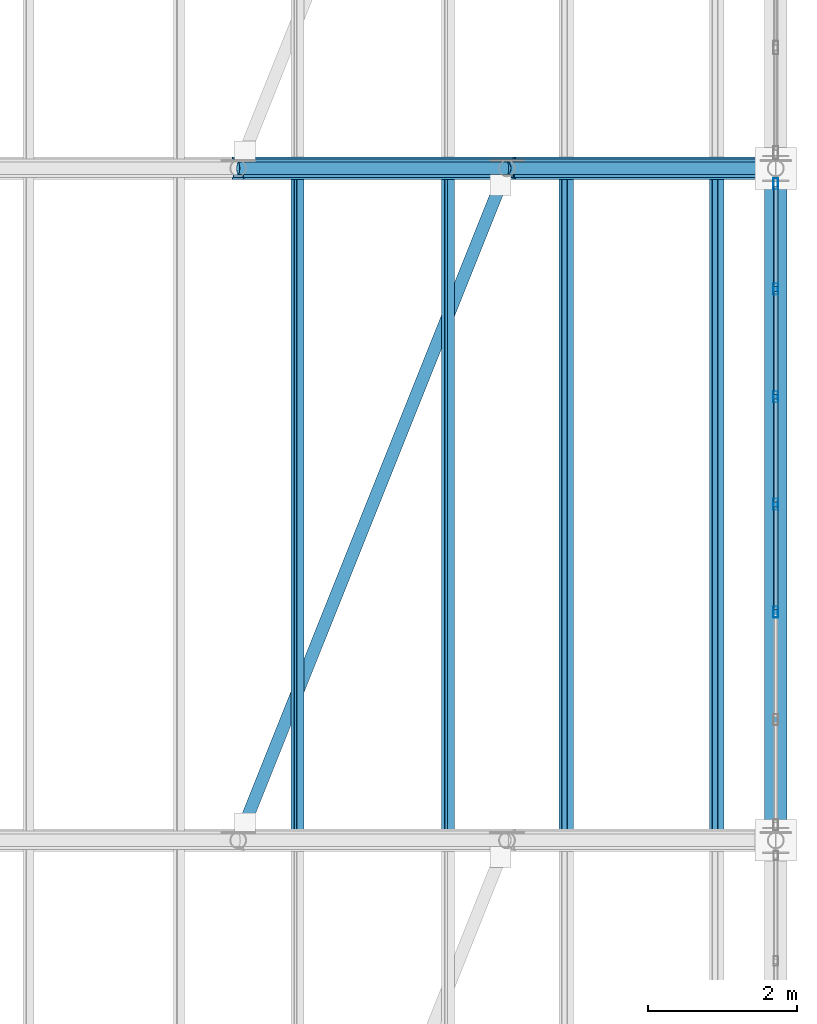
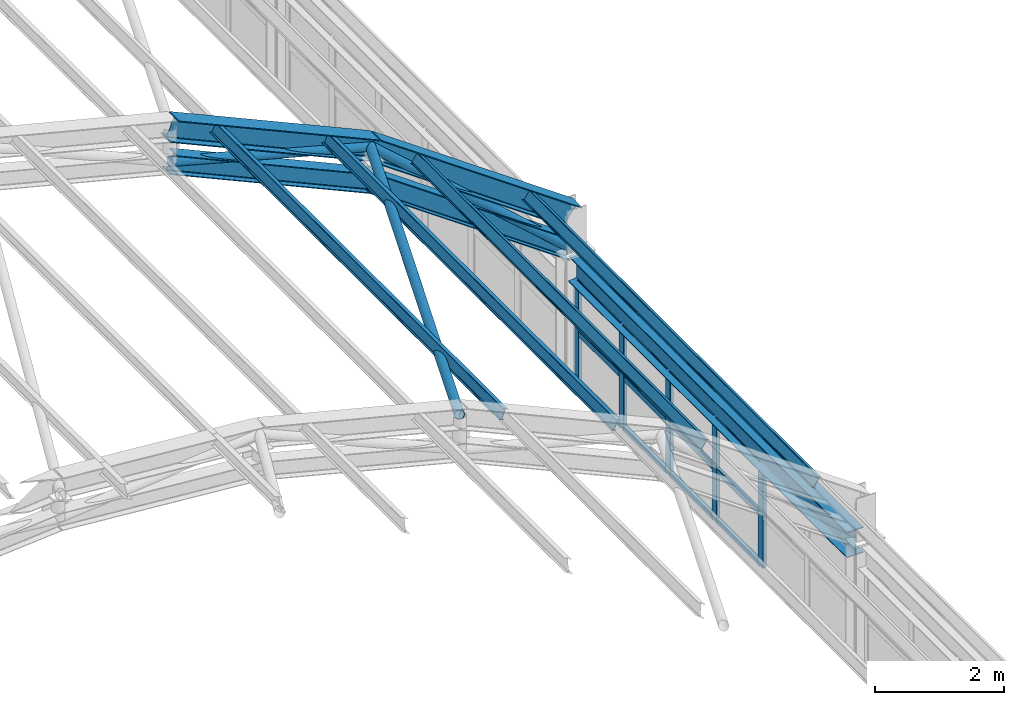
# One storey, part 61 of 121: 26 members, 3 beams, 1 element without a shape of its own.
"""IFC4 building model written with IfcOpenShell, lengths in metres."""

import ifcopenshell
import ifcopenshell.guid

model = None  # the IFC model being written
_history = None  # IfcOwnerHistory: only IFC2X3 demands one
_inside = {}  # id of a spatial element -> (the spatial element, [elements in it])
_under = {}  # id of a project, library or spatial element -> (it, [spatial elements below it])
_declared = {}  # id of a project -> (the project, [libraries it declares])
_typed = {}  # id of a type object -> (the type object, [elements of that type])
_made_of = {}  # id of a material, layer set ... -> (it, [elements and type objects made of it])


def new_model(schema):
    """Start an empty IFC model of exactly this schema.

    Asked for "IFC4X3", IfcOpenShell would pick the latest addendum, in which some entities
    have other attributes; the version numbers below select the first issue.
    IFC2X3 requires an IfcOwnerHistory on every rooted entity: one is made here for all.
    """
    global model, _history
    if schema == "IFC4X3":
        model = ifcopenshell.file(schema_version=(4, 3, 0, 0))
    else:
        model = ifcopenshell.file(schema=schema)
    _inside.clear()
    _under.clear()
    _declared.clear()
    _typed.clear()
    _made_of.clear()
    _history = None
    if model.schema == "IFC2X3":
        org = make("IfcOrganization", Name="unknown")
        user = make(
            "IfcPersonAndOrganization",
            ThePerson=make("IfcPerson", FamilyName="unknown"),
            TheOrganization=org,
        )
        app = make(
            "IfcApplication",
            ApplicationDeveloper=org,
            Version="unknown",
            ApplicationFullName="unknown",
            ApplicationIdentifier="unknown",
        )
        _history = make(
            "IfcOwnerHistory",
            OwningUser=user,
            OwningApplication=app,
            ChangeAction="ADDED",
            CreationDate=0,
        )
    return model


def make(cls, **values):
    """One entity of the class cls with the attributes given. An attribute that is None is left unset."""
    return model.create_entity(
        cls, **{name: value for name, value in values.items() if value is not None}
    )


def rooted(cls, **values):
    """An entity with a GlobalId (a new one), such as an element, a storey or a relation."""
    return make(cls, GlobalId=ifcopenshell.guid.new(), OwnerHistory=_history, **values)


def si_unit(unit_type, name, prefix=None):
    """IfcSIUnit, for example si_unit("LENGTHUNIT", "METRE", prefix="MILLI")."""
    return make("IfcSIUnit", UnitType=unit_type, Prefix=prefix, Name=name)


def assignment(units):
    """IfcUnitAssignment: the units of a project."""
    return None if units is None else make("IfcUnitAssignment", Units=units)


def point(xyz):
    """IfcCartesianPoint."""
    return None if xyz is None else make("IfcCartesianPoint", Coordinates=xyz)


def direction(xyz):
    """IfcDirection."""
    return None if xyz is None else make("IfcDirection", DirectionRatios=xyz)


def frame(location, z_axis=None, x_axis=None):
    """IfcAxis2Placement3D, a coordinate frame: its origin and axes. An axis left out is left unset."""
    return make(
        "IfcAxis2Placement3D",
        Location=point(location),
        Axis=direction(z_axis),
        RefDirection=direction(x_axis),
    )


def frame_2d(location, x_axis=None):
    """IfcAxis2Placement2D, a coordinate frame in the plane: its origin and x axis."""
    return make(
        "IfcAxis2Placement2D", Location=point(location), RefDirection=direction(x_axis)
    )


def origin():
    """The frame at (0, 0, 0) with its axes left unset."""
    return frame((0.0, 0.0, 0.0))


def origin_2d():
    """The frame at (0, 0) in the plane with its x axis left unset."""
    return frame_2d((0.0, 0.0))


def place(relative_to, where):
    """IfcLocalPlacement: puts the frame where relative to a parent placement (None: the world)."""
    return make(
        "IfcLocalPlacement", PlacementRelTo=relative_to, RelativePlacement=where
    )


def context(
    kind, dimensions, precision=None, world=None, true_north=None, identifier=None
):
    """IfcGeometricRepresentationContext, for example the 3D "Model" context."""
    return make(
        "IfcGeometricRepresentationContext",
        ContextIdentifier=identifier,
        ContextType=kind,
        CoordinateSpaceDimension=dimensions,
        Precision=precision,
        WorldCoordinateSystem=world,
        TrueNorth=true_north,
    )


def subcontext(parent, identifier, kind, view, scale=None):
    """IfcGeometricRepresentationSubContext, for example "Body" below "Model"."""
    return make(
        "IfcGeometricRepresentationSubContext",
        ContextIdentifier=identifier,
        ContextType=kind,
        ParentContext=parent,
        TargetScale=scale,
        TargetView=view,
    )


def project(units=None, contexts=None):
    """IfcProject with its units and contexts."""
    return rooted(
        "IfcProject",
        Name="project",
        RepresentationContexts=contexts,
        UnitsInContext=assignment(units),
    )


def spatial(cls, under=None, at=None, **own):
    """A site, building, storey or space (cls), placed at a placement, below another one or the project."""
    s = rooted(cls, ObjectPlacement=at, **own)
    if under is not None:
        _under.setdefault(under.id(), (under, []))[1].append(s)
    return s


def profile(cls, at=None, kind="AREA", **sizes):
    """A parametric profile (cls). Its sizes go by their IFC names, for example OverallWidth=200.0."""
    return make(cls, ProfileType=kind, Position=at, **sizes)


def hollow_rectangle(**sizes):
    """IfcRectangleHollowProfileDef."""
    return profile("IfcRectangleHollowProfileDef", **sizes)


def hollow_circle(**sizes):
    """IfcCircleHollowProfileDef."""
    return profile("IfcCircleHollowProfileDef", **sizes)


def i_section(**sizes):
    """IfcIShapeProfileDef."""
    return profile("IfcIShapeProfileDef", **sizes)


def extrude(swept, where, along, depth):
    """IfcExtrudedAreaSolid: the profile swept, set in the frame where, extruded along a direction by depth."""
    return make(
        "IfcExtrudedAreaSolid",
        SweptArea=swept,
        Position=where,
        ExtrudedDirection=direction(along),
        Depth=depth,
    )


def shape(context_of_items, identifier, shape_type, items):
    """IfcShapeRepresentation: the items that make up one representation, for example the "Body"."""
    return make(
        "IfcShapeRepresentation",
        ContextOfItems=context_of_items,
        RepresentationIdentifier=identifier,
        RepresentationType=shape_type,
        Items=items,
    )


def material(Name=None, Category=None):
    """IfcMaterial."""
    return make("IfcMaterial", Name=Name, Category=Category)


def material_profile(
    of_material, cross_section, Name=None, Category=None, Priority=None
):
    """IfcMaterialProfile: a cross section and its material."""
    return make(
        "IfcMaterialProfile",
        Name=Name,
        Material=of_material,
        Profile=cross_section,
        Priority=Priority,
        Category=Category,
    )


def profile_set(profiles, Name=None, composite=None):
    """IfcMaterialProfileSet."""
    return make(
        "IfcMaterialProfileSet",
        Name=Name,
        MaterialProfiles=profiles,
        CompositeProfile=composite,
    )


def made_of(thing, what):
    """Note that an element or type object is made of a material, layer set ...; save() writes the relation."""
    if what is not None:
        _made_of.setdefault(what.id(), (what, []))[1].append(thing)
    return thing


def type_object(cls, material=None, **own):
    """A type object (cls), such as IfcWallType, which elements share."""
    return made_of(rooted(cls, **own), material)


def element(
    cls,
    number,
    at=None,
    inside=None,
    cuts=None,
    type_object=None,
    material=None,
    context=None,
    identifier="Body",
    shape_type=None,
    held_by="IfcProductDefinitionShape",
    body=None,
    shapes=None,
    **own,
):
    """One element of the class cls, such as IfcWall. Its Tag is "e" and its number.

    at: its placement. inside: the storey or other place that contains it. cuts: it is an
    opening in that element (IfcRelVoidsElement). A single representation is given by context,
    identifier, shape_type and body (its items); several are given by shapes. held_by: the class
    of the entity that holds the representations. save() writes the other relations.
    """
    e = rooted(cls, Tag="e%d" % number, ObjectPlacement=at, **own)
    if body is not None:
        shapes = [shape(context, identifier, shape_type, body)]
    if shapes is not None:
        e.Representation = make(held_by, Representations=shapes)
    if inside is not None:
        _inside.setdefault(inside.id(), (inside, []))[1].append(e)
    if cuts is not None:
        rooted(
            "IfcRelVoidsElement", RelatingBuildingElement=cuts, RelatedOpeningElement=e
        )
    if type_object is not None:
        _typed.setdefault(type_object.id(), (type_object, []))[1].append(e)
    return made_of(e, material)


def aggregate(whole, parts):
    """IfcRelAggregates: a whole, such as a stair, and the parts it consists of."""
    return rooted("IfcRelAggregates", RelatingObject=whole, RelatedObjects=parts)


def save(model, path):
    """Write the relations noted so far, then the file.

    IfcRelAggregates (storeys below a building ...), IfcRelContainedInSpatialStructure (elements
    in a storey), IfcRelDefinesByType, IfcRelAssociatesMaterial and IfcRelDeclares: one each for
    every whole, place, type object, material and project.
    """
    for whole, parts in _under.values():
        aggregate(whole, parts)
    for where, things in _inside.values():
        rooted(
            "IfcRelContainedInSpatialStructure",
            RelatedElements=things,
            RelatingStructure=where,
        )
    for kind, things in _typed.values():
        rooted("IfcRelDefinesByType", RelatedObjects=things, RelatingType=kind)
    for what, things in _made_of.values():
        rooted("IfcRelAssociatesMaterial", RelatedObjects=things, RelatingMaterial=what)
    for by, libraries in _declared.values():
        rooted("IfcRelDeclares", RelatingContext=by, RelatedDefinitions=libraries)
    model.write(path)


model = new_model("IFC4")

# Units and contexts
model_context = context("Model", 3, precision=1e-05, world=origin(), true_north=direction((0.0, 1.0)))
body_context = subcontext(model_context, "Body", "Model", "MODEL_VIEW")
ifc_project = project(units=[si_unit("LENGTHUNIT", "METRE"), si_unit("AREAUNIT", "SQUARE_METRE"), si_unit("VOLUMEUNIT", "CUBIC_METRE"), si_unit("PLANEANGLEUNIT", "RADIAN"), si_unit("MASSUNIT", "GRAM", prefix="KILO")], contexts=[model_context])

# Site, building, storey
site_placement = place(None, origin())
site = spatial("IfcSite", under=ifc_project, at=site_placement, CompositionType="ELEMENT")
building_placement = place(site_placement, origin())
building = spatial("IfcBuilding", under=site, at=building_placement, Name="Canglan Escarpment Cableway Terminal", CompositionType="ELEMENT")
storey_placement = place(building_placement, frame((0.0, 0.0, 24.60009765625)))
storey = spatial("IfcBuildingStorey", under=building, at=storey_placement, Name="L05", CompositionType="ELEMENT", Elevation=24.60009765625)

# Beams
ifc_material_1 = material(Name="Steel Q355B", Category="steel")
ifc_material_profile_1 = material_profile(ifc_material_1, i_section(OverallWidth=0.300048828125, OverallDepth=0.389892578125, WebThickness=0.010009765625, FlangeThickness=0.01611328125, FilletRadius=0.02197265625, at=origin_2d()), Name="HM 390x300x10x16")
ifc_profile_set_1 = profile_set([ifc_material_profile_1], Name="Steel Q355B")
beam_type_1 = type_object("IfcBeamType", Name="BM-ARCH-TOP-HM390", PredefinedType="BEAM", material=ifc_profile_set_1)
beam_1_placement = place(storey_placement, frame((159.199951171875, 97.0, 7.23828125), z_axis=(0.911752518833, 0.0, -0.410739996108), x_axis=(0.0, 1.0, 0.0)))
element("IfcBeam", 1, at=beam_1_placement, inside=storey, type_object=beam_type_1, Name="Vault ROOF TRUSS arch top chord AR-TC1", PredefinedType="BEAM", context=body_context, shape_type="SweptSolid", body=[
    extrude(i_section(OverallWidth=0.300048828125, OverallDepth=0.389892578125, WebThickness=0.010009765625, FlangeThickness=0.01611328125, FilletRadius=0.02197265625, at=origin_2d()), origin(), (0.0, 0.0, 1.0), 3.948486328125),
])
beam_2_placement = place(storey_placement, frame((162.800048828125, 97.0, 5.616455078125), z_axis=(0.817731009495, 0.0, -0.575600552563), x_axis=(0.0, 1.0, 0.0)))
element("IfcBeam", 2, at=beam_2_placement, inside=storey, type_object=beam_type_1, Name="Vault ROOF TRUSS arch top chord AR-TC1", PredefinedType="BEAM", context=body_context, shape_type="SweptSolid", body=[
    extrude(i_section(OverallWidth=0.300048828125, OverallDepth=0.389892578125, WebThickness=0.010009765625, FlangeThickness=0.01611328125, FilletRadius=0.02197265625, at=origin_2d()), origin(), (0.0, 0.0, 1.0), 4.40234375),
])
ifc_material_profile_2 = material_profile(ifc_material_1, i_section(OverallWidth=0.300048828125, OverallDepth=0.488037109375, WebThickness=0.010986328125, FlangeThickness=0.01806640625, FilletRadius=0.02587890625, at=origin_2d()), Name="HM 488x300x11x18")
ifc_profile_set_2 = profile_set([ifc_material_profile_2], Name="Steel Q355B")
beam_type_2 = type_object("IfcBeamType", Name="BM-HM488", PredefinedType="BEAM", material=ifc_profile_set_2)
beam_3_placement = place(storey_placement, frame((166.39990234375, 88.175048828125, 2.1884765625), z_axis=(0.0, 1.0, 0.0), x_axis=(-1.0, 0.0, 0.0)))
element("IfcBeam", 3, at=beam_3_placement, inside=storey, type_object=beam_type_2, Name="Vault springing ring girder B-09", PredefinedType="BEAM", context=body_context, shape_type="SweptSolid", body=[
    extrude(i_section(OverallWidth=0.300048828125, OverallDepth=0.488037109375, WebThickness=0.010986328125, FlangeThickness=0.01806640625, FilletRadius=0.02587890625, at=origin_2d()), origin(), (0.0, 0.0, 1.0), 8.64990234375),
])

# Curtain wall, members
ifc_material_2 = material(Name="Anodized bronze aluminium and Low-E double glazing", Category="aluminium")
curtain_wall_type = type_object("IfcCurtainWallType", Name="CW-BAY-8650x1950", PredefinedType="NOTDEFINED", material=ifc_material_2)
curtain_wall_placement = place(storey_placement, origin())
curtain_wall = element("IfcCurtainWall", 4, at=curtain_wall_placement, inside=storey, type_object=curtain_wall_type, Name="Classical bay-between-piers glazed curtain wall CW-66", PredefinedType="NOTDEFINED")
ifc_material_3 = material(Name="Thermally broken anodized aluminium 6063-T6", Category="aluminium")
ifc_material_profile_3 = material_profile(ifc_material_3, hollow_rectangle(XDim=0.06494140625, YDim=0.14990234375, WallThickness=0.00341796875, InnerFilletRadius=0.00341796875, OuterFilletRadius=0.007080078125, at=origin_2d()), Name="ALU-MULL 65x150x3.5")
ifc_profile_set_3 = profile_set([ifc_material_profile_3], Name="Thermally broken anodized aluminium 6063-T6")
member_type_1 = type_object("IfcMemberType", Name="CWM-02", PredefinedType="MULLION", material=ifc_profile_set_3)
member_1_placement = place(storey_placement, frame((166.39990234375, 91.058349609375, 0.0), z_axis=(0.0, 0.0, 1.0), x_axis=(-1.0, 0.0, 0.0)))
member_1 = element("IfcMember", 5, at=member_1_placement, type_object=member_type_1, Name="CW-66 mullion 3", PredefinedType="MULLION", context=body_context, shape_type="SweptSolid", body=[
    extrude(hollow_rectangle(XDim=0.06494140625, YDim=0.14990234375, WallThickness=0.00341796875, InnerFilletRadius=0.00341796875, OuterFilletRadius=0.007080078125, at=origin_2d()), origin(), (0.0, 0.0, 1.0), 1.949951171875),
])
member_2_placement = place(storey_placement, frame((166.39990234375, 92.5, 0.0), z_axis=(0.0, 0.0, 1.0), x_axis=(-1.0, 0.0, 0.0)))
member_2 = element("IfcMember", 6, at=member_2_placement, type_object=member_type_1, Name="CW-66 mullion 4", PredefinedType="MULLION", context=body_context, shape_type="SweptSolid", body=[
    extrude(hollow_rectangle(XDim=0.06494140625, YDim=0.14990234375, WallThickness=0.00341796875, InnerFilletRadius=0.00341796875, OuterFilletRadius=0.007080078125, at=origin_2d()), origin(), (0.0, 0.0, 1.0), 1.949951171875),
])
member_3_placement = place(storey_placement, frame((166.39990234375, 93.941650390625, 0.0), z_axis=(0.0, 0.0, 1.0), x_axis=(-1.0, 0.0, 0.0)))
member_3 = element("IfcMember", 7, at=member_3_placement, type_object=member_type_1, Name="CW-66 mullion 5", PredefinedType="MULLION", context=body_context, shape_type="SweptSolid", body=[
    extrude(hollow_rectangle(XDim=0.06494140625, YDim=0.14990234375, WallThickness=0.00341796875, InnerFilletRadius=0.00341796875, OuterFilletRadius=0.007080078125, at=origin_2d()), origin(), (0.0, 0.0, 1.0), 1.949951171875),
])
member_4_placement = place(storey_placement, frame((166.39990234375, 95.38330078125, 0.0), z_axis=(0.0, 0.0, 1.0), x_axis=(-1.0, 0.0, 0.0)))
member_4 = element("IfcMember", 8, at=member_4_placement, type_object=member_type_1, Name="CW-66 mullion 6", PredefinedType="MULLION", context=body_context, shape_type="SweptSolid", body=[
    extrude(hollow_rectangle(XDim=0.06494140625, YDim=0.14990234375, WallThickness=0.00341796875, InnerFilletRadius=0.00341796875, OuterFilletRadius=0.007080078125, at=origin_2d()), origin(), (0.0, 0.0, 1.0), 1.949951171875),
])
member_5_placement = place(storey_placement, frame((166.39990234375, 96.79248046875, 0.0), z_axis=(0.0, 0.0, 1.0), x_axis=(-1.0, 0.0, 0.0)))
member_5 = element("IfcMember", 9, at=member_5_placement, type_object=member_type_1, Name="CW-66 mullion 7", PredefinedType="MULLION", context=body_context, shape_type="SweptSolid", body=[
    extrude(hollow_rectangle(XDim=0.06494140625, YDim=0.14990234375, WallThickness=0.00341796875, InnerFilletRadius=0.00341796875, OuterFilletRadius=0.007080078125, at=origin_2d()), origin(), (0.0, 0.0, 1.0), 1.949951171875),
])
ifc_material_profile_4 = material_profile(ifc_material_3, hollow_rectangle(XDim=0.06005859375, YDim=0.110107421875, WallThickness=0.0029296875, InnerFilletRadius=0.0029296875, OuterFilletRadius=0.006103515625, at=origin_2d()), Name="ALU-TRAN 60x110x3")
ifc_profile_set_4 = profile_set([ifc_material_profile_4], Name="Thermally broken anodized aluminium 6063-T6")
member_type_2 = type_object("IfcMemberType", Name="CWT-02", PredefinedType="USERDEFINED", material=ifc_profile_set_4)
member_6_placement = place(storey_placement, frame((166.39990234375, 91.0908203125, 0.02978515625), z_axis=(0.0, 1.0, 0.0), x_axis=(-1.0, 0.0, 0.0)))
member_6 = element("IfcMember", 10, at=member_6_placement, type_object=member_type_2, Name="CW-66 transom 3.1", ObjectType="TRANSOM", PredefinedType="USERDEFINED", context=body_context, shape_type="SweptSolid", body=[
    extrude(hollow_rectangle(XDim=0.06005859375, YDim=0.110107421875, WallThickness=0.0029296875, InnerFilletRadius=0.0029296875, OuterFilletRadius=0.006103515625, at=origin_2d()), origin(), (0.0, 0.0, 1.0), 1.376708984375),
])
member_7_placement = place(storey_placement, frame((166.39990234375, 91.0908203125, 0.974853515625), z_axis=(0.0, 1.0, 0.0), x_axis=(-1.0, 0.0, 0.0)))
member_7 = element("IfcMember", 11, at=member_7_placement, type_object=member_type_2, Name="CW-66 transom 3.2", ObjectType="TRANSOM", PredefinedType="USERDEFINED", context=body_context, shape_type="SweptSolid", body=[
    extrude(hollow_rectangle(XDim=0.06005859375, YDim=0.110107421875, WallThickness=0.0029296875, InnerFilletRadius=0.0029296875, OuterFilletRadius=0.006103515625, at=origin_2d()), origin(), (0.0, 0.0, 1.0), 1.376708984375),
])
member_8_placement = place(storey_placement, frame((166.39990234375, 91.0908203125, 1.919921875), z_axis=(0.0, 1.0, 0.0), x_axis=(-1.0, 0.0, 0.0)))
member_8 = element("IfcMember", 12, at=member_8_placement, type_object=member_type_2, Name="CW-66 transom 3.3", ObjectType="TRANSOM", PredefinedType="USERDEFINED", context=body_context, shape_type="SweptSolid", body=[
    extrude(hollow_rectangle(XDim=0.06005859375, YDim=0.110107421875, WallThickness=0.0029296875, InnerFilletRadius=0.0029296875, OuterFilletRadius=0.006103515625, at=origin_2d()), origin(), (0.0, 0.0, 1.0), 1.376708984375),
])
member_9_placement = place(storey_placement, frame((166.39990234375, 92.532470703125, 0.02978515625), z_axis=(0.0, 1.0, 0.0), x_axis=(-1.0, 0.0, 0.0)))
member_9 = element("IfcMember", 13, at=member_9_placement, type_object=member_type_2, Name="CW-66 transom 4.1", ObjectType="TRANSOM", PredefinedType="USERDEFINED", context=body_context, shape_type="SweptSolid", body=[
    extrude(hollow_rectangle(XDim=0.06005859375, YDim=0.110107421875, WallThickness=0.0029296875, InnerFilletRadius=0.0029296875, OuterFilletRadius=0.006103515625, at=origin_2d()), origin(), (0.0, 0.0, 1.0), 1.376708984375),
])
member_10_placement = place(storey_placement, frame((166.39990234375, 92.532470703125, 0.974853515625), z_axis=(0.0, 1.0, 0.0), x_axis=(-1.0, 0.0, 0.0)))
member_10 = element("IfcMember", 14, at=member_10_placement, type_object=member_type_2, Name="CW-66 transom 4.2", ObjectType="TRANSOM", PredefinedType="USERDEFINED", context=body_context, shape_type="SweptSolid", body=[
    extrude(hollow_rectangle(XDim=0.06005859375, YDim=0.110107421875, WallThickness=0.0029296875, InnerFilletRadius=0.0029296875, OuterFilletRadius=0.006103515625, at=origin_2d()), origin(), (0.0, 0.0, 1.0), 1.376708984375),
])
member_11_placement = place(storey_placement, frame((166.39990234375, 92.532470703125, 1.919921875), z_axis=(0.0, 1.0, 0.0), x_axis=(-1.0, 0.0, 0.0)))
member_11 = element("IfcMember", 15, at=member_11_placement, type_object=member_type_2, Name="CW-66 transom 4.3", ObjectType="TRANSOM", PredefinedType="USERDEFINED", context=body_context, shape_type="SweptSolid", body=[
    extrude(hollow_rectangle(XDim=0.06005859375, YDim=0.110107421875, WallThickness=0.0029296875, InnerFilletRadius=0.0029296875, OuterFilletRadius=0.006103515625, at=origin_2d()), origin(), (0.0, 0.0, 1.0), 1.376708984375),
])
member_12_placement = place(storey_placement, frame((166.39990234375, 93.97412109375, 0.02978515625), z_axis=(0.0, 1.0, 0.0), x_axis=(-1.0, 0.0, 0.0)))
member_12 = element("IfcMember", 16, at=member_12_placement, type_object=member_type_2, Name="CW-66 transom 5.1", ObjectType="TRANSOM", PredefinedType="USERDEFINED", context=body_context, shape_type="SweptSolid", body=[
    extrude(hollow_rectangle(XDim=0.06005859375, YDim=0.110107421875, WallThickness=0.0029296875, InnerFilletRadius=0.0029296875, OuterFilletRadius=0.006103515625, at=origin_2d()), origin(), (0.0, 0.0, 1.0), 1.376708984375),
])
member_13_placement = place(storey_placement, frame((166.39990234375, 93.97412109375, 0.974853515625), z_axis=(0.0, 1.0, 0.0), x_axis=(-1.0, 0.0, 0.0)))
member_13 = element("IfcMember", 17, at=member_13_placement, type_object=member_type_2, Name="CW-66 transom 5.2", ObjectType="TRANSOM", PredefinedType="USERDEFINED", context=body_context, shape_type="SweptSolid", body=[
    extrude(hollow_rectangle(XDim=0.06005859375, YDim=0.110107421875, WallThickness=0.0029296875, InnerFilletRadius=0.0029296875, OuterFilletRadius=0.006103515625, at=origin_2d()), origin(), (0.0, 0.0, 1.0), 1.376708984375),
])
member_14_placement = place(storey_placement, frame((166.39990234375, 93.97412109375, 1.919921875), z_axis=(0.0, 1.0, 0.0), x_axis=(-1.0, 0.0, 0.0)))
member_14 = element("IfcMember", 18, at=member_14_placement, type_object=member_type_2, Name="CW-66 transom 5.3", ObjectType="TRANSOM", PredefinedType="USERDEFINED", context=body_context, shape_type="SweptSolid", body=[
    extrude(hollow_rectangle(XDim=0.06005859375, YDim=0.110107421875, WallThickness=0.0029296875, InnerFilletRadius=0.0029296875, OuterFilletRadius=0.006103515625, at=origin_2d()), origin(), (0.0, 0.0, 1.0), 1.376708984375),
])
member_15_placement = place(storey_placement, frame((166.39990234375, 95.415771484375, 0.02978515625), z_axis=(0.0, 1.0, 0.0), x_axis=(-1.0, 0.0, 0.0)))
member_15 = element("IfcMember", 19, at=member_15_placement, type_object=member_type_2, Name="CW-66 transom 6.1", ObjectType="TRANSOM", PredefinedType="USERDEFINED", context=body_context, shape_type="SweptSolid", body=[
    extrude(hollow_rectangle(XDim=0.06005859375, YDim=0.110107421875, WallThickness=0.0029296875, InnerFilletRadius=0.0029296875, OuterFilletRadius=0.006103515625, at=origin_2d()), origin(), (0.0, 0.0, 1.0), 1.34423828125),
])
member_16_placement = place(storey_placement, frame((166.39990234375, 95.415771484375, 0.974853515625), z_axis=(0.0, 1.0, 0.0), x_axis=(-1.0, 0.0, 0.0)))
member_16 = element("IfcMember", 20, at=member_16_placement, type_object=member_type_2, Name="CW-66 transom 6.2", ObjectType="TRANSOM", PredefinedType="USERDEFINED", context=body_context, shape_type="SweptSolid", body=[
    extrude(hollow_rectangle(XDim=0.06005859375, YDim=0.110107421875, WallThickness=0.0029296875, InnerFilletRadius=0.0029296875, OuterFilletRadius=0.006103515625, at=origin_2d()), origin(), (0.0, 0.0, 1.0), 1.34423828125),
])
member_17_placement = place(storey_placement, frame((166.39990234375, 95.415771484375, 1.919921875), z_axis=(0.0, 1.0, 0.0), x_axis=(-1.0, 0.0, 0.0)))
member_17 = element("IfcMember", 21, at=member_17_placement, type_object=member_type_2, Name="CW-66 transom 6.3", ObjectType="TRANSOM", PredefinedType="USERDEFINED", context=body_context, shape_type="SweptSolid", body=[
    extrude(hollow_rectangle(XDim=0.06005859375, YDim=0.110107421875, WallThickness=0.0029296875, InnerFilletRadius=0.0029296875, OuterFilletRadius=0.006103515625, at=origin_2d()), origin(), (0.0, 0.0, 1.0), 1.34423828125),
])
aggregate(curtain_wall, [member_1, member_2, member_3, member_4, member_5, member_6, member_7, member_8, member_9, member_10, member_11, member_12, member_13, member_14, member_15, member_16, member_17])

# Members
ifc_material_profile_5 = material_profile(ifc_material_1, i_section(OverallWidth=0.25, OverallDepth=0.340087890625, WebThickness=0.009033203125, FlangeThickness=0.013916015625, FilletRadius=0.02001953125, at=origin_2d()), Name="HM 340x250x9x14")
ifc_profile_set_5 = profile_set([ifc_material_profile_5], Name="Steel Q355B")
member_type_3 = type_object("IfcMemberType", Name="MB-ARCH-BOT-HM340", PredefinedType="CHORD", material=ifc_profile_set_5)
member_18_placement = place(storey_placement, frame((159.199951171875, 97.0, 6.58837890625), z_axis=(0.911752518833, 0.0, -0.410739996108), x_axis=(0.0, 1.0, 0.0)))
element("IfcMember", 22, at=member_18_placement, inside=storey, type_object=member_type_3, Name="Vault ROOF TRUSS arch bottom chord AR-BC1", PredefinedType="CHORD", context=body_context, shape_type="SweptSolid", body=[
    extrude(i_section(OverallWidth=0.25, OverallDepth=0.340087890625, WebThickness=0.009033203125, FlangeThickness=0.013916015625, FilletRadius=0.02001953125, at=origin_2d()), origin(), (0.0, 0.0, 1.0), 3.948486328125),
])
member_19_placement = place(storey_placement, frame((162.800048828125, 97.0, 4.966552734375), z_axis=(0.81770490607, 0.0, -0.575637634792), x_axis=(0.0, 1.0, 0.0)))
element("IfcMember", 23, at=member_19_placement, inside=storey, type_object=member_type_3, Name="Vault ROOF TRUSS arch bottom chord AR-BC1", PredefinedType="CHORD", context=body_context, shape_type="SweptSolid", body=[
    extrude(i_section(OverallWidth=0.25, OverallDepth=0.340087890625, WebThickness=0.009033203125, FlangeThickness=0.013916015625, FilletRadius=0.02001953125, at=origin_2d()), origin(), (0.0, 0.0, 1.0), 4.40234375),
])
ifc_material_profile_6 = material_profile(ifc_material_1, hollow_circle(Radius=0.084228515625, WallThickness=0.006103515625, at=origin_2d()), Name="CHS 168.3x6")
ifc_profile_set_6 = profile_set([ifc_material_profile_6], Name="Steel Q355B")
member_type_4 = type_object("IfcMemberType", Name="MB-ARCH-DIAG-CHS168", PredefinedType="BRACE", material=ifc_profile_set_6)
member_20_placement = place(storey_placement, frame((159.199951171875, 97.0, 6.58837890625), z_axis=(0.96543600217, 0.0, -0.260640222748), x_axis=(0.0, 1.0, 0.0)))
element("IfcMember", 24, at=member_20_placement, inside=storey, type_object=member_type_4, Name="Vault ROOF TRUSS web diagonal AR-DG1", PredefinedType="BRACE", context=body_context, shape_type="SweptSolid", body=[
    extrude(hollow_circle(Radius=0.084228515625, WallThickness=0.006103515625, at=origin_2d()), origin(), (0.0, 0.0, 1.0), 3.72900390625),
])
member_21_placement = place(storey_placement, frame((162.800048828125, 97.0, 5.616455078125), z_axis=(0.749038254518, 0.0, -0.662526749096), x_axis=(0.0, 1.0, 0.0)))
element("IfcMember", 25, at=member_21_placement, inside=storey, type_object=member_type_4, Name="Vault ROOF TRUSS web diagonal AR-DG1", PredefinedType="BRACE", context=body_context, shape_type="SweptSolid", body=[
    extrude(hollow_circle(Radius=0.084228515625, WallThickness=0.006103515625, at=origin_2d()), origin(), (0.0, 0.0, 1.0), 4.805908203125),
])
ifc_material_profile_7 = material_profile(ifc_material_1, hollow_circle(Radius=0.084228515625, WallThickness=0.006103515625, at=origin_2d()), Name="CHS 168.3x6")
ifc_profile_set_7 = profile_set([ifc_material_profile_7], Name="Steel Q355B")
member_type_5 = type_object("IfcMemberType", Name="MB-ROOF-BR-CHS168", PredefinedType="BRACE", material=ifc_profile_set_7)
member_22_placement = place(storey_placement, frame((159.199951171875, 88.0, 7.23828125), z_axis=(0.366307573698, 0.915744093096, -0.165019748547), x_axis=(-0.928473216852, 0.37139936132, 0.0)))
element("IfcMember", 26, at=member_22_placement, inside=storey, type_object=member_type_5, Name="Vault roof plane wind brace BR-03", PredefinedType="BRACE", context=body_context, shape_type="SweptSolid", body=[
    extrude(hollow_circle(Radius=0.084228515625, WallThickness=0.006103515625, at=origin_2d()), origin(), (0.0, 0.0, 1.0), 9.828125),
])
ifc_material_profile_8 = material_profile(ifc_material_1, i_section(OverallWidth=0.10009765625, OverallDepth=0.199951171875, WebThickness=0.005615234375, FlangeThickness=0.008056640625, FilletRadius=0.010986328125, at=origin_2d()), Name="HN 200x100x5.5x8")
ifc_profile_set_8 = profile_set([ifc_material_profile_8], Name="Steel Q355B")
member_type_6 = type_object("IfcMemberType", Name="MB-VAULT-PUR-HN200", PredefinedType="PURLIN", material=ifc_profile_set_8)
for number, where, z_axis, x_axis, name in (
    (27, (159.991943359375, 88.0, 6.968017578125), (0.0, 1.0, 0.0), (-0.911740537138, 0.0, 0.410766591799), "Barrel-vault roof purlin PR-01"),
    (28, (162.008056640625, 88.0, 6.059814453125), (0.0, 1.0, 0.0), (-0.911740537138, 0.0, 0.410766591799), "Barrel-vault roof purlin PR-01"),
    (29, (163.592041015625, 88.0, 5.1318359375), (0.0, 1.0, 0.0), (-0.817727996784, 0.0, 0.575604832568), "Barrel-vault roof purlin PR-01"),
    (30, (165.60791015625, 88.0, 3.712890625), (0.0, 1.0, 0.0), (-0.817727996784, 0.0, 0.575604832568), "Barrel-vault roof purlin PR-01"),
):
    element("IfcMember", number, at=place(storey_placement, frame(where, z_axis=z_axis, x_axis=x_axis)), inside=storey, type_object=member_type_6, Name=name, PredefinedType="PURLIN", context=body_context, shape_type="SweptSolid", body=[
        extrude(i_section(OverallWidth=0.10009765625, OverallDepth=0.199951171875, WebThickness=0.005615234375, FlangeThickness=0.008056640625, FilletRadius=0.010986328125, at=origin_2d()), origin(), (0.0, 0.0, 1.0), 9.0),
    ])

save(model, "model.ifc")
